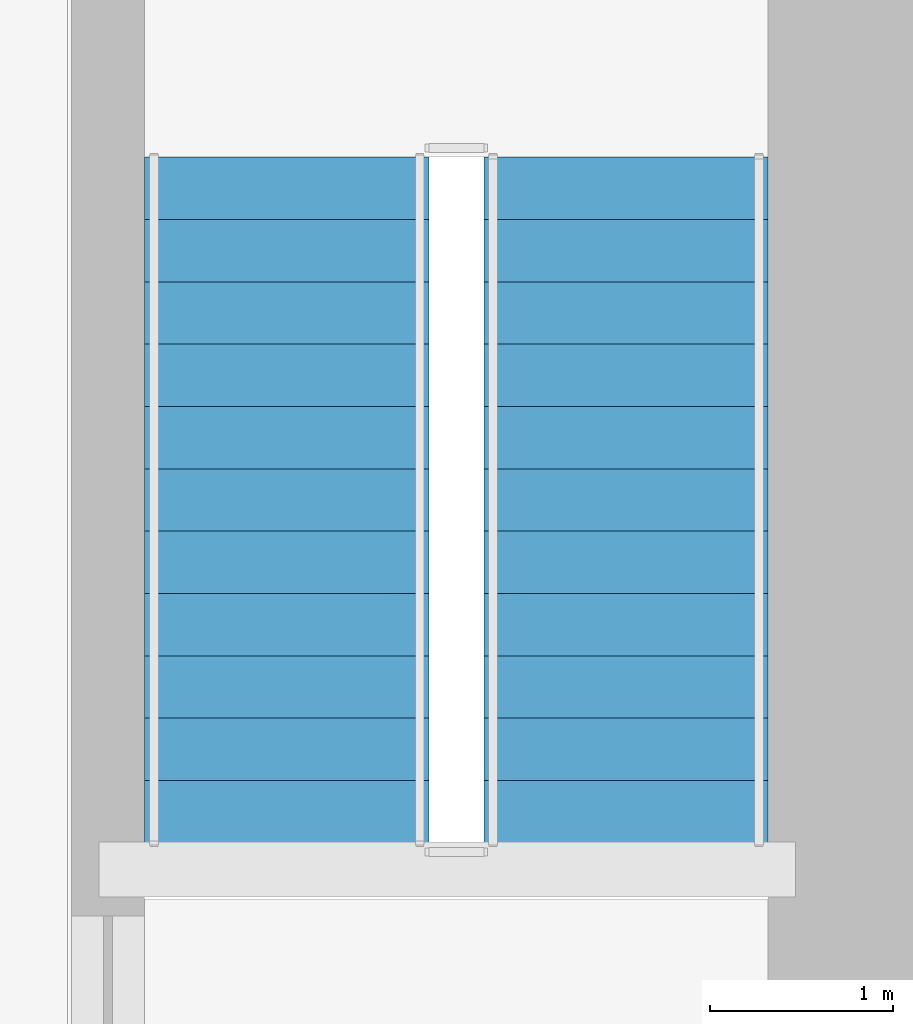
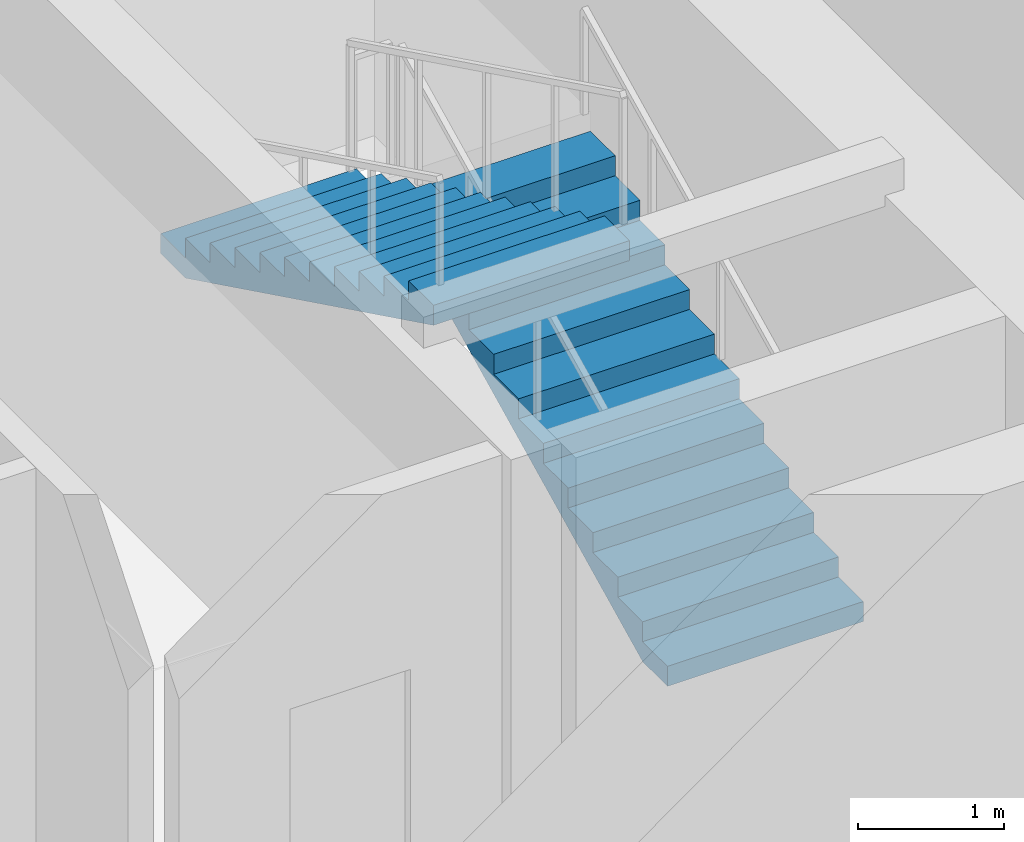
# One storey, part 18 of 21: 2 stair flights, 1 element without a shape of its own.
"""IFC4 building model written with IfcOpenShell, lengths in metres."""

from ifc_helpers import new_model, si_unit, direction, frame, origin, place, context, subcontext, project, spatial, polyline, outline, extrude, material, type_object, element, aggregate, save


model = new_model("IFC4")

# Units and contexts
model_context = context("Model", 3, precision=1e-05, world=origin(), true_north=direction((0.0, 1.0)))
body_context = subcontext(model_context, "Body", "Model", "MODEL_VIEW")
ifc_project = project(units=[si_unit("LENGTHUNIT", "METRE"), si_unit("AREAUNIT", "SQUARE_METRE"), si_unit("VOLUMEUNIT", "CUBIC_METRE"), si_unit("PLANEANGLEUNIT", "RADIAN"), si_unit("MASSUNIT", "GRAM", prefix="KILO")], contexts=[model_context])

# Site, building, storey
site_placement = place(None, origin())
site = spatial("IfcSite", under=ifc_project, at=site_placement, CompositionType="ELEMENT")
building_placement = place(site_placement, origin())
building = spatial("IfcBuilding", under=site, at=building_placement, Name="Tavrogorsk Clinical Tower", CompositionType="ELEMENT")
storey_placement = place(building_placement, frame((0.0, 0.0, 281.0)))
storey = spatial("IfcBuildingStorey", under=building, at=storey_placement, Name="L65", CompositionType="ELEMENT", Elevation=281.0)

# Stair, stair flights
ifc_material_1 = material(Name="Concrete B60", Category="concrete")
stair_type = type_object("IfcStairType", Name="CoreStairAssembly", PredefinedType="HALF_TURN_STAIR", material=ifc_material_1)
stair_placement = place(storey_placement, origin())
stair = element("IfcStair", 1, at=stair_placement, inside=storey, type_object=stair_type, Name="L65 ST-E", PredefinedType="HALF_TURN_STAIR")
ifc_material_2 = material(Name="Concrete B60", Category="concrete")
stair_flight_type = type_object("IfcStairFlightType", Name="CoreStairFlight", PredefinedType="STRAIGHT", material=ifc_material_2)
stair_flight_1_placement = place(storey_placement, frame((20.425048828125, -2.574951171875, 0.0), z_axis=(0.0, 0.0, 1.0), x_axis=(0.0, 1.0, 0.0)))
stair_flight_1 = element("IfcStairFlight", 2, at=stair_flight_1_placement, type_object=stair_flight_type, Name="ST-E flight 1", NumberOfRisers=12, NumberOfTreads=11, PredefinedType="STRAIGHT", RiserHeight=0.166666667, TreadLength=0.34, context=body_context, shape_type="SweptSolid", body=[
    extrude(outline(polyline([(0.0, 0.0), (0.0, 0.166748046875), (0.340087890625, 0.166748046875), (0.340087890625, 0.333251953125), (0.679931640625, 0.333251953125), (0.679931640625, 0.5), (1.02001953125, 0.5), (1.02001953125, 0.666748046875), (1.360107421875, 0.666748046875), (1.360107421875, 0.833251953125), (1.699951171875, 0.833251953125), (1.699951171875, 1.0), (2.0400390625, 1.0), (2.0400390625, 1.166748046875), (2.3798828125, 1.166748046875), (2.3798828125, 1.333251953125), (2.719970703125, 1.333251953125), (2.719970703125, 1.5), (3.06005859375, 1.5), (3.06005859375, 1.666748046875), (3.39990234375, 1.666748046875), (3.39990234375, 1.833251953125), (3.739990234375, 1.833251953125), (3.739990234375, 2.0), (3.739990234375, 1.66650390625), (0.340576171875, 0.0), (0.0, 0.0)])), frame((0.0, 0.77490234375, 0.0), z_axis=(0.0, -1.0, 0.0), x_axis=(1.0, 0.0, 0.0)), (0.0, 0.0, 1.0), 1.550048828125),
])
stair_flight_2_placement = place(storey_placement, frame((18.574951171875, 1.1650390625, 2.0), z_axis=(0.0, 0.0, 1.0), x_axis=(0.0, -1.0, 0.0)))
stair_flight_2 = element("IfcStairFlight", 3, at=stair_flight_2_placement, type_object=stair_flight_type, Name="ST-E flight 2", NumberOfRisers=12, NumberOfTreads=11, PredefinedType="STRAIGHT", RiserHeight=0.166666667, TreadLength=0.34, context=body_context, shape_type="SweptSolid", body=[
    extrude(outline(polyline([(0.0, 0.0), (0.0, 0.166748046875), (0.340087890625, 0.166748046875), (0.340087890625, 0.333251953125), (0.679931640625, 0.333251953125), (0.679931640625, 0.5), (1.02001953125, 0.5), (1.02001953125, 0.666748046875), (1.360107421875, 0.666748046875), (1.360107421875, 0.833251953125), (1.699951171875, 0.833251953125), (1.699951171875, 1.0), (2.0400390625, 1.0), (2.0400390625, 1.166748046875), (2.3798828125, 1.166748046875), (2.3798828125, 1.333251953125), (2.719970703125, 1.333251953125), (2.719970703125, 1.5), (3.06005859375, 1.5), (3.06005859375, 1.666748046875), (3.39990234375, 1.666748046875), (3.39990234375, 1.833251953125), (3.739990234375, 1.833251953125), (3.739990234375, 2.0), (3.739990234375, 1.66650390625), (0.340576171875, 0.0), (0.0, 0.0)])), frame((0.0, 0.77490234375, 0.0), z_axis=(0.0, -1.0, 0.0), x_axis=(1.0, 0.0, 0.0)), (0.0, 0.0, 1.0), 1.550048828125),
])
aggregate(stair, [stair_flight_1, stair_flight_2])

save(model, "model.ifc")
